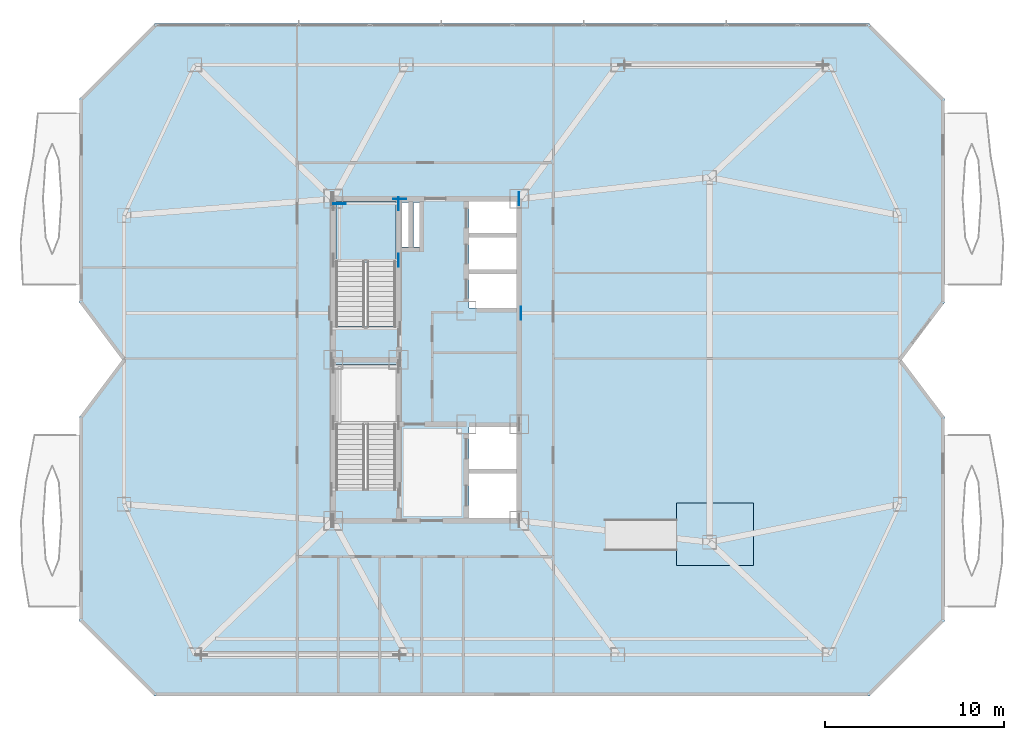
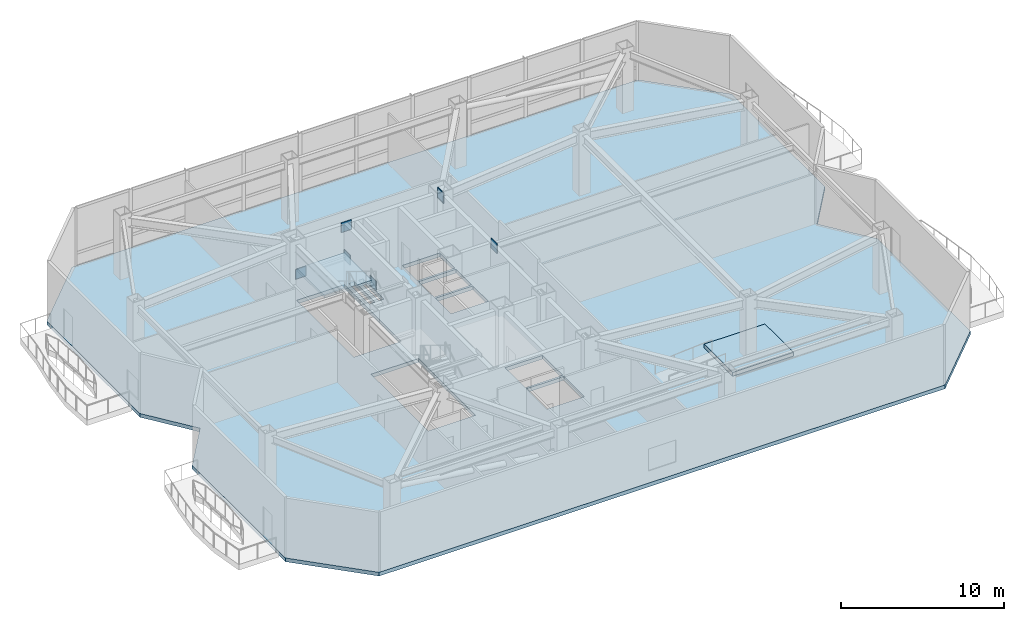
# One storey, part 6 of 16: 7 plates, 3 slabs, 1 element without a shape of its own.
"""IFC4 building model written with IfcOpenShell, lengths in metres."""

from ifc_helpers import new_model, si_unit, direction, frame, origin, origin_2d, place, context, subcontext, project, spatial, polyline, rectangle, outline, extrude, material, layer, layer_set, type_object, element, aggregate, save


model = new_model("IFC4")

# Units and contexts
model_context = context("Model", 3, precision=1e-05, world=origin(), true_north=direction((0.0, 1.0)))
body_context = subcontext(model_context, "Body", "Model", "MODEL_VIEW")
ifc_project = project(units=[si_unit("LENGTHUNIT", "METRE"), si_unit("AREAUNIT", "SQUARE_METRE"), si_unit("VOLUMEUNIT", "CUBIC_METRE"), si_unit("PLANEANGLEUNIT", "RADIAN"), si_unit("MASSUNIT", "GRAM", prefix="KILO")], contexts=[model_context])

# Site, building, storey
site_placement = place(None, origin())
site = spatial("IfcSite", under=ifc_project, at=site_placement, CompositionType="ELEMENT")
building_placement = place(site_placement, origin())
building = spatial("IfcBuilding", under=site, at=building_placement, Name="Khamvora Tower", CompositionType="ELEMENT")
storey_placement = place(building_placement, frame((0.0, 0.0, 207.0)))
storey = spatial("IfcBuildingStorey", under=building, at=storey_placement, Name="L53", CompositionType="ELEMENT", Elevation=207.0)

# Plates
ifc_material_1 = material(Name="Steel S460", Category="steel")
ifc_layer_1 = layer(ifc_material_1, 0.034912109375)
ifc_layer_set_1 = layer_set([ifc_layer_1], Name="Steel S460")
plate_type = type_object("IfcPlateType", Name="PL-EMB-35", PredefinedType="SHEET", material=ifc_layer_set_1)
for number, where, z_axis, x_axis, name in (
    (1, (32.64990234375, 33.574951171875, 1.708984375), (0.0, 0.0, 1.0), (1.0, 0.0, 0.0), "L53 core shear wall cast-in embed plate 1539"),
    (2, (32.64990234375, 36.72998046875, 1.708984375), (0.0, 0.0, 1.0), (1.0, 0.0, 0.0), "L53 core shear wall cast-in embed plate 1541"),
):
    element("IfcPlate", number, at=place(storey_placement, frame(where, z_axis=z_axis, x_axis=x_axis)), inside=storey, type_object=plate_type, Name=name, PredefinedType="SHEET", context=body_context, shape_type="SweptSolid", body=[
        extrude(rectangle(XDim=0.034912109375, YDim=0.719970703125, at=origin_2d()), origin(), (0.0, 0.0, 1.0), 0.719970703125),
    ])
plate_1_placement = place(storey_placement, frame((29.35009765625, 36.72998046875, 1.708984375), z_axis=(0.0, 0.0, 1.0), x_axis=(1.0, 0.0, 0.0)))
element("IfcPlate", 3, at=plate_1_placement, inside=storey, type_object=plate_type, Name="L53 core shear wall cast-in embed plate 1542", PredefinedType="SHEET", context=body_context, shape_type="SweptSolid", body=[
    extrude(rectangle(XDim=0.719970703125, YDim=0.034912109375, at=origin_2d()), origin(), (0.0, 0.0, 1.0), 0.719970703125),
])
plate_2_placement = place(storey_placement, frame((39.39990234375, 37.0, 3.77197265625), z_axis=(0.0, 0.0, 1.0), x_axis=(1.0, 0.0, 0.0)))
element("IfcPlate", 4, at=plate_2_placement, inside=storey, type_object=plate_type, Name="L53 core shear wall cast-in embed plate 1546", PredefinedType="SHEET", context=body_context, shape_type="SweptSolid", body=[
    extrude(rectangle(XDim=0.034912109375, YDim=0.719970703125, at=origin_2d()), origin(), (0.0, 0.0, 1.0), 0.719970703125),
])
plate_3_placement = place(storey_placement, frame((32.72998046875, 37.0, 3.85302734375), z_axis=(0.0, 0.0, 1.0), x_axis=(1.0, 0.0, 0.0)))
element("IfcPlate", 5, at=plate_3_placement, inside=storey, type_object=plate_type, Name="L53 core shear wall cast-in embed plate 1552", PredefinedType="SHEET", context=body_context, shape_type="SweptSolid", body=[
    extrude(rectangle(XDim=0.719970703125, YDim=0.034912109375, at=origin_2d()), origin(), (0.0, 0.0, 1.0), 0.719970703125),
])
for number, where, z_axis, x_axis, name in (
    (6, (39.39990234375, 37.0, 3.85302734375), (0.0, 0.0, 1.0), (1.0, 0.0, 0.0), "L53 core shear wall cast-in embed plate 1555"),
    (7, (39.4990234375, 30.60009765625, 3.88818359375), (0.0, 0.0, 1.0), (1.0, 0.0, 0.0), "L53 core shear wall cast-in embed plate 1561"),
):
    element("IfcPlate", number, at=place(storey_placement, frame(where, z_axis=z_axis, x_axis=x_axis)), inside=storey, type_object=plate_type, Name=name, PredefinedType="SHEET", context=body_context, shape_type="SweptSolid", body=[
        extrude(rectangle(XDim=0.034912109375, YDim=0.719970703125, at=origin_2d()), origin(), (0.0, 0.0, 1.0), 0.719970703125),
    ])

# Stair, slab
ifc_material_2 = material(Name="Concrete C40/50", Category="concrete")
stair_type = type_object("IfcStairType", Name="STR-ST-02", PredefinedType="HALF_TURN_STAIR", material=ifc_material_2)
stair_placement = place(storey_placement, origin())
stair = element("IfcStair", 8, at=stair_placement, inside=storey, type_object=stair_type, Name="L53 North Tower Exit Stair ST-02", PredefinedType="HALF_TURN_STAIR")
ifc_layer_2 = layer(ifc_material_2, 0.199951171875)
ifc_layer_set_2 = layer_set([ifc_layer_2], Name="Concrete C40/50")
slab_type_1 = type_object("IfcSlabType", Name="SLB-LND-200", PredefinedType="LANDING", material=ifc_layer_set_2)
slab_1_placement = place(storey_placement, frame((0.0, 0.0, 2.199951171875)))
slab_1 = element("IfcSlab", 9, at=slab_1_placement, type_object=slab_type_1, Name="ST-02 landing 1", PredefinedType="LANDING", context=body_context, shape_type="SweptSolid", body=[
    extrude(outline(polyline([(32.5, 33.455078125), (32.5, 36.85009765625), (29.14990234375, 36.85009765625), (29.14990234375, 33.455078125), (32.5, 33.455078125)])), origin(), (0.0, 0.0, 1.0), 0.199951171875),
])
aggregate(stair, [slab_1])

# Slabs
ifc_material_3 = material(Name="Concrete C35/45", Category="concrete")
ifc_layer_3 = layer(ifc_material_3, 0.280029296875)
ifc_layer_set_3 = layer_set([ifc_layer_3], Name="Concrete C35/45")
slab_type_2 = type_object("IfcSlabType", Name="SLB-SCH-280", PredefinedType="FLOOR", material=ifc_layer_set_3)
slab_2_placement = place(storey_placement, frame((0.0, 0.0, -0.280029296875)))
element("IfcSlab", 10, at=slab_2_placement, inside=storey, type_object=slab_type_2, Name="L53 structural floor slab", PredefinedType="FLOOR", context=body_context, shape_type="SweptSolid", body=[
    extrude(outline(polyline([(19.0, 9.199951171875), (59.0, 9.199951171875), (63.199951171875, 13.39990234375), (63.199951171875, 24.800048828125), (60.800048828125, 28.0), (63.199951171875, 31.199951171875), (63.199951171875, 42.60009765625), (59.0, 46.800048828125), (19.0, 46.800048828125), (14.800048828125, 42.60009765625), (14.800048828125, 31.199951171875), (17.199951171875, 28.0), (14.800048828125, 24.800048828125), (14.800048828125, 13.39990234375), (19.0, 9.199951171875)]), holes=[polyline([(32.5, 20.760009765625), (32.5, 27.75), (29.14990234375, 27.75), (29.14990234375, 20.760009765625), (32.5, 20.760009765625)]), polyline([(32.5, 29.860107421875), (32.5, 36.85009765625), (29.14990234375, 36.85009765625), (29.14990234375, 29.860107421875), (32.5, 29.860107421875)]), polyline([(36.60009765625, 19.14990234375), (39.25, 19.14990234375), (39.25, 21.64990234375), (36.60009765625, 21.64990234375), (36.60009765625, 19.14990234375)]), polyline([(36.60009765625, 21.800048828125), (39.25, 21.800048828125), (39.25, 24.25), (36.60009765625, 24.25), (36.60009765625, 21.800048828125)]), polyline([(36.60009765625, 30.89990234375), (39.25, 30.89990234375), (39.25, 32.800048828125), (36.60009765625, 32.800048828125), (36.60009765625, 30.89990234375)]), polyline([(36.60009765625, 32.949951171875), (39.25, 32.949951171875), (39.25, 34.85009765625), (36.60009765625, 34.85009765625), (36.60009765625, 32.949951171875)]), polyline([(36.60009765625, 35.0), (39.25, 35.0), (39.25, 36.85009765625), (36.60009765625, 36.85009765625), (36.60009765625, 35.0)]), polyline([(32.800048828125, 34.300048828125), (33.199951171875, 34.300048828125), (33.199951171875, 36.800048828125), (32.800048828125, 36.800048828125), (32.800048828125, 34.300048828125)]), polyline([(33.47998046875, 34.300048828125), (33.820068359375, 34.300048828125), (33.820068359375, 36.800048828125), (33.47998046875, 36.800048828125), (33.47998046875, 34.300048828125)])]), origin(), (0.0, 0.0, 1.0), 0.280029296875),
])
slab_3_placement = place(storey_placement, origin())
element("IfcSlab", 11, at=slab_3_placement, inside=storey, type_object=slab_type_2, Name="L53 sky-garden raised planter deck slab", PredefinedType="FLOOR", context=body_context, shape_type="SweptSolid", body=[
    extrude(outline(polyline([(48.2041015625, 16.5), (52.5, 16.5), (52.5, 20.0), (48.2041015625, 20.0), (48.2041015625, 16.5)])), origin(), (0.0, 0.0, 1.0), 0.280029296875),
])

save(model, "model.ifc")
